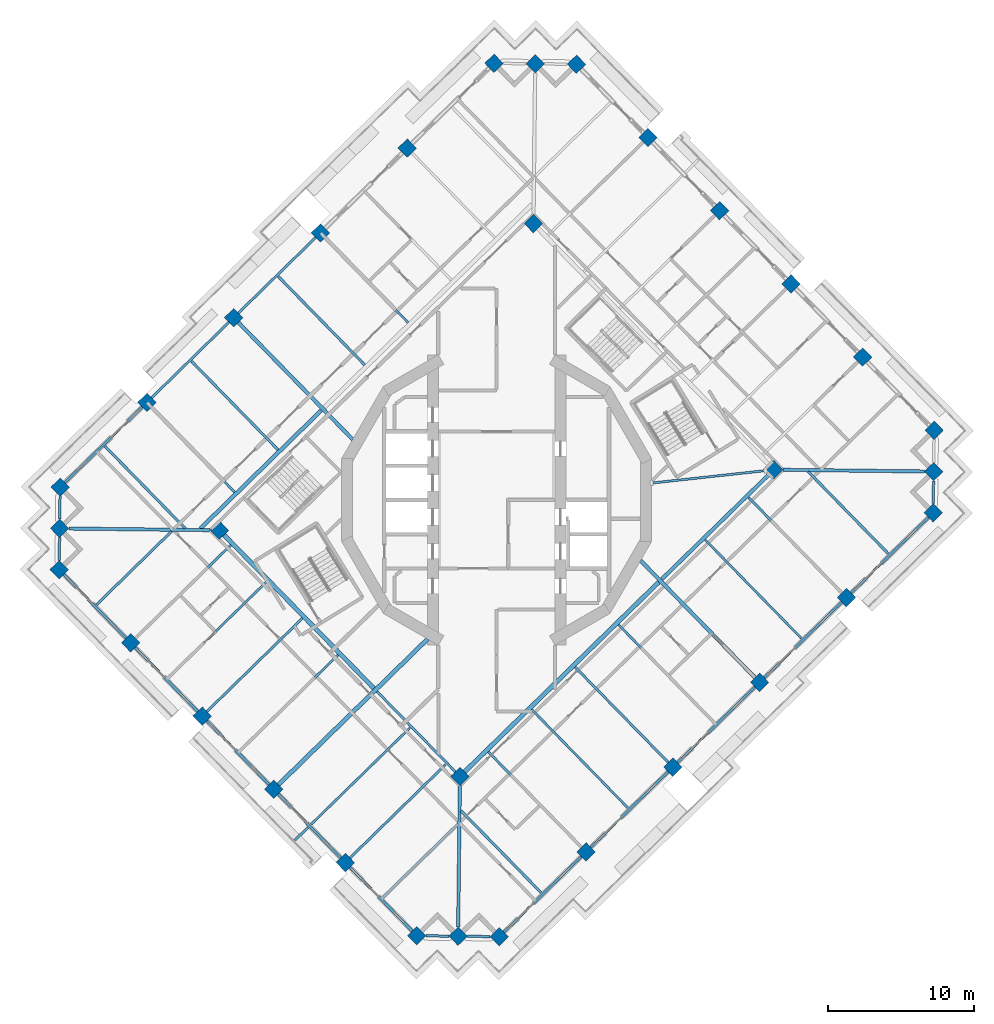
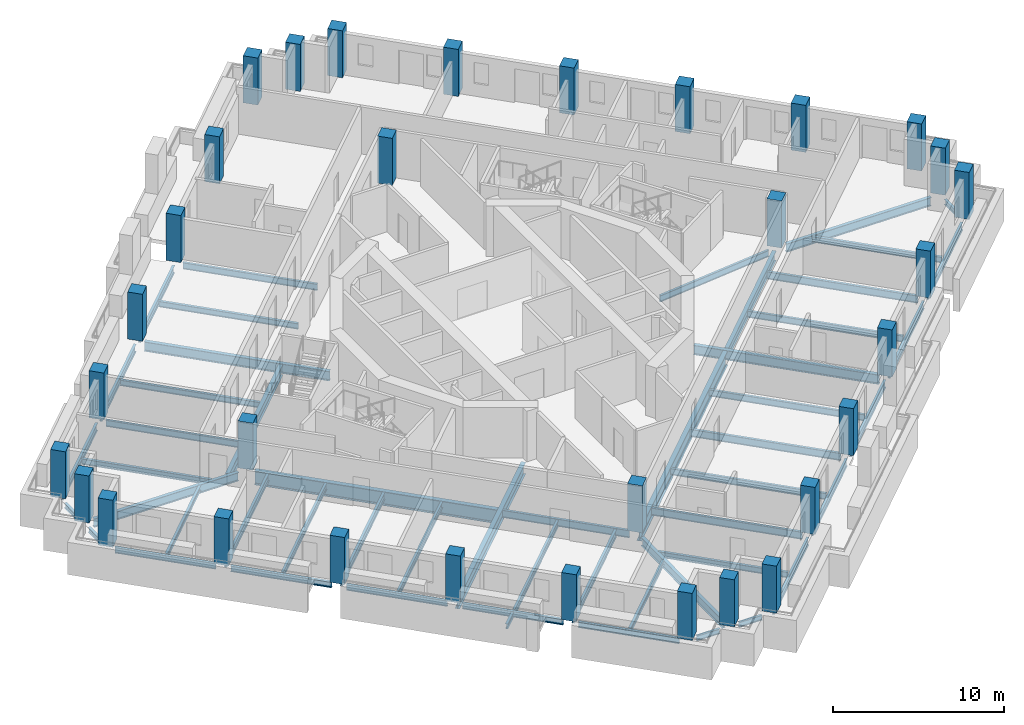
# One storey, part 1 of 17: 52 beams, 32 columns.
"""IFC4 building model written with IfcOpenShell, lengths in metres."""

from ifc_helpers import new_model, si_unit, direction, frame, origin, origin_2d, place, context, subcontext, project, spatial, rectangle, i_section, extrude, material, material_profile, profile_set, type_object, element, save


model = new_model("IFC4")

# Units and contexts
model_context = context("Model", 3, precision=1e-05, world=origin(), true_north=direction((0.0, 1.0)))
body_context = subcontext(model_context, "Body", "Model", "MODEL_VIEW")
ifc_project = project(units=[si_unit("LENGTHUNIT", "METRE"), si_unit("AREAUNIT", "SQUARE_METRE"), si_unit("VOLUMEUNIT", "CUBIC_METRE"), si_unit("PLANEANGLEUNIT", "RADIAN"), si_unit("MASSUNIT", "GRAM", prefix="KILO")], contexts=[model_context])

# Site, building, storey
site_placement = place(None, origin())
site = spatial("IfcSite", under=ifc_project, at=site_placement, CompositionType="ELEMENT")
building_placement = place(site_placement, origin())
building = spatial("IfcBuilding", under=site, at=building_placement, Name="Cantera Rosa Tower", CompositionType="ELEMENT")
storey_placement = place(building_placement, frame((0.0, 0.0, 227.0)))
storey = spatial("IfcBuildingStorey", under=building, at=storey_placement, Name="L49", CompositionType="ELEMENT", Elevation=227.0)

# Columns
ifc_material_1 = material(Name="Concrete C60/75", Category="concrete")
ifc_material_profile_1 = material_profile(ifc_material_1, rectangle(XDim=0.89990234375, YDim=0.89990234375, at=origin_2d()), Name="RC COLUMN RC900X900 C60/75")
ifc_profile_set_1 = profile_set([ifc_material_profile_1], Name="Concrete C60/75")
column_type_1 = type_object("IfcColumnType", Name="RC COLUMN RC900X900 C60/75", PredefinedType="COLUMN", material=ifc_profile_set_1)
for number, where, z_axis, x_axis, name in (
    (1, (30.003662109375, 4.77783203125, 0.0), (0.0, 0.0, 1.0), (0.71528629107, 0.698831540364, 0.0), "C-Z4-01 L49"),
    (2, (25.097900390625, 9.799072265625, 0.0), (0.0, 0.0, 1.0), (0.71528629107, 0.698831540364, 0.0), "C-Z4-02 L49"),
    (3, (20.19189453125, 14.8203125, 0.0), (0.0, 0.0, 1.0), (0.71528629107, 0.698831540364, 0.0), "C-Z4-03 L49"),
    (4, (15.2861328125, 19.841796875, 0.0), (0.0, 0.0, 1.0), (0.71528629107, 0.698831540364, 0.0), "C-Z4-04 L49"),
    (5, (10.38037109375, 24.863037109375, 0.0), (0.0, 0.0, 1.0), (0.71528629107, 0.698831540364, 0.0), "C-Z4-05 L49"),
    (6, (5.474609375, 29.88427734375, 0.0), (0.0, 0.0, 1.0), (0.71528629107, 0.698831540364, 0.0), "C-Z4-06 L49"),
    (7, (2.646484375, 29.917236328125, 0.0), (0.0, 0.0, 1.0), (0.71528629107, 0.698831540364, 0.0), "C-Z4-07 L49"),
    (8, (-0.181884765625, 29.9501953125, 0.0), (0.0, 0.0, 1.0), (0.71528629107, 0.698831540364, 0.0), "C-Z4-08 L49"),
    (9, (-6.133056640625, 24.1357421875, 0.0), (0.0, 0.0, 1.0), (0.71528629107, 0.698831540364, 0.0), "C-Z4-09 L49"),
    (10, (-12.084228515625, 18.321533203125, 0.0), (0.0, 0.0, 1.0), (0.71528629107, 0.698831540364, 0.0), "C-Z4-10 L49"),
    (11, (-18.035400390625, 12.50732421875, 0.0), (0.0, 0.0, 1.0), (0.71528629107, 0.698831540364, 0.0), "C-Z4-11 L49"),
    (12, (-23.986572265625, 6.693115234375, 0.0), (0.0, 0.0, 1.0), (0.71528629107, 0.698831540364, 0.0), "C-Z4-12 L49"),
    (13, (-29.937744140625, 0.878662109375, 0.0), (0.0, 0.0, 1.0), (0.71528629107, 0.698831540364, 0.0), "C-Z4-13 L49"),
    (14, (-29.970703125, -1.949462890625, 0.0), (0.0, 0.0, 1.0), (0.71528629107, 0.698831540364, 0.0), "C-Z4-14 L49"),
    (15, (-30.003662109375, -4.77783203125, 0.0), (0.0, 0.0, 1.0), (0.71528629107, 0.698831540364, 0.0), "C-Z4-15 L49"),
    (16, (-25.097900390625, -9.799072265625, 0.0), (0.0, 0.0, 1.0), (0.71528629107, 0.698831540364, 0.0), "C-Z4-16 L49"),
    (17, (-20.19189453125, -14.8203125, 0.0), (0.0, 0.0, 1.0), (0.71528629107, 0.698831540364, 0.0), "C-Z4-17 L49"),
    (18, (-15.2861328125, -19.841796875, 0.0), (0.0, 0.0, 1.0), (0.71528629107, 0.698831540364, 0.0), "C-Z4-18 L49"),
    (19, (-10.38037109375, -24.863037109375, 0.0), (0.0, 0.0, 1.0), (0.71528629107, 0.698831540364, 0.0), "C-Z4-19 L49"),
    (20, (-5.474609375, -29.88427734375, 0.0), (0.0, 0.0, 1.0), (0.71528629107, 0.698831540364, 0.0), "C-Z4-20 L49"),
    (21, (-2.646484375, -29.917236328125, 0.0), (0.0, 0.0, 1.0), (0.71528629107, 0.698831540364, 0.0), "C-Z4-21 L49"),
    (22, (0.181884765625, -29.9501953125, 0.0), (0.0, 0.0, 1.0), (0.71528629107, 0.698831540364, 0.0), "C-Z4-22 L49"),
    (23, (6.133056640625, -24.1357421875, 0.0), (0.0, 0.0, 1.0), (0.71528629107, 0.698831540364, 0.0), "C-Z4-23 L49"),
    (24, (12.084228515625, -18.321533203125, 0.0), (0.0, 0.0, 1.0), (0.71528629107, 0.698831540364, 0.0), "C-Z4-24 L49"),
    (25, (18.035400390625, -12.50732421875, 0.0), (0.0, 0.0, 1.0), (0.71528629107, 0.698831540364, 0.0), "C-Z4-25 L49"),
    (26, (23.986572265625, -6.693115234375, 0.0), (0.0, 0.0, 1.0), (0.71528629107, 0.698831540364, 0.0), "C-Z4-26 L49"),
    (27, (29.937744140625, -0.878662109375, 0.0), (0.0, 0.0, 1.0), (0.71528629107, 0.698831540364, 0.0), "C-Z4-27 L49"),
    (28, (29.970703125, 1.949462890625, 0.0), (0.0, 0.0, 1.0), (0.71528629107, 0.698831540364, 0.0), "C-Z4-28 L49"),
):
    element("IfcColumn", number, at=place(storey_placement, frame(where, z_axis=z_axis, x_axis=x_axis)), inside=storey, type_object=column_type_1, Name=name, PredefinedType="COLUMN", context=body_context, shape_type="SweptSolid", body=[
        extrude(rectangle(XDim=0.89990234375, YDim=0.89990234375, at=origin_2d()), origin(), (0.0, 0.0, 1.0), 3.35009765625),
    ])
ifc_material_2 = material(Name="Concrete C60/75", Category="concrete")
ifc_material_profile_2 = material_profile(ifc_material_2, rectangle(XDim=0.89990234375, YDim=0.89990234375, at=origin_2d()), Name="RC RING COLUMN RC900X900 C60/75")
ifc_profile_set_2 = profile_set([ifc_material_profile_2], Name="Concrete C60/75")
column_type_2 = type_object("IfcColumnType", Name="RC RING COLUMN RC900X900 C60/75", PredefinedType="COLUMN", material=ifc_profile_set_2)
for number, where, z_axis, x_axis, name in (
    (29, (2.518798828125, 18.957763671875, 0.0), (0.0, 0.0, 1.0), (0.71528629107, 0.698831540364, 0.0), "CI-Z4-1 L49"),
    (30, (-19.01123046875, -2.0771484375, 0.0), (0.0, 0.0, 1.0), (0.71528629107, 0.698831540364, 0.0), "CI-Z4-2 L49"),
    (31, (-2.518798828125, -18.957763671875, 0.0), (0.0, 0.0, 1.0), (0.71528629107, 0.698831540364, 0.0), "CI-Z4-3 L49"),
    (32, (19.01123046875, 2.0771484375, 0.0), (0.0, 0.0, 1.0), (0.71528629107, 0.698831540364, 0.0), "CI-Z4-4 L49"),
):
    element("IfcColumn", number, at=place(storey_placement, frame(where, z_axis=z_axis, x_axis=x_axis)), inside=storey, type_object=column_type_2, Name=name, PredefinedType="COLUMN", context=body_context, shape_type="SweptSolid", body=[
        extrude(rectangle(XDim=0.89990234375, YDim=0.89990234375, at=origin_2d()), origin(), (0.0, 0.0, 1.0), 3.35009765625),
    ])

# Beams
ifc_material_3 = material(Name="Steel ASTM A992 (Fy 345 MPa)", Category="steel")
ifc_material_profile_3 = material_profile(ifc_material_3, i_section(OverallWidth=0.300048828125, OverallDepth=0.990966796875, WebThickness=0.0166015625, FlangeThickness=0.030517578125, FilletRadius=0.030029296875, at=origin_2d()), Name="W1000X272")
ifc_profile_set_3 = profile_set([ifc_material_profile_3], Name="Steel ASTM A992 (Fy 345 MPa)")
beam_type_1 = type_object("IfcBeamType", Name="STEEL BEAM W1000X272", PredefinedType="BEAM", material=ifc_profile_set_3)
beam_1_placement = place(storey_placement, frame((-8.4169921875, -12.9208984375, -0.74560546875), z_axis=(-0.698826825527, 0.715290897415, 0.0), x_axis=(-0.715290897415, -0.698826825527, 0.0)))
element("IfcBeam", 33, at=beam_1_placement, inside=storey, type_object=beam_type_1, Name="RB-Z4-07 L49", PredefinedType="BEAM", context=body_context, shape_type="SweptSolid", body=[
    extrude(i_section(OverallWidth=0.300048828125, OverallDepth=0.990966796875, WebThickness=0.0166015625, FlangeThickness=0.030517578125, FilletRadius=0.030029296875, at=origin_2d()), origin(), (0.0, 0.0, 1.0), 14.7099609375),
])
ifc_material_4 = material(Name="Steel ASTM A992 (Fy 345 MPa)", Category="steel")
ifc_material_profile_4 = material_profile(ifc_material_4, i_section(OverallWidth=0.302001953125, OverallDepth=1.010009765625, WebThickness=0.02099609375, FlangeThickness=0.0400390625, FilletRadius=0.030029296875, at=origin_2d()), Name="W1000X350")
ifc_profile_set_4 = profile_set([ifc_material_profile_4], Name="Steel ASTM A992 (Fy 345 MPa)")
beam_type_2 = type_object("IfcBeamType", Name="STEEL BEAM W1000X350", PredefinedType="BEAM", material=ifc_profile_set_4)
beam_2_placement = place(storey_placement, frame((-2.197021484375, -18.643310546875, -0.7548828125), z_axis=(0.715290925107, 0.698826797182, 0.0), x_axis=(-0.698826797182, 0.715290925107, 0.0)))
element("IfcBeam", 34, at=beam_2_placement, inside=storey, type_object=beam_type_2, Name="RB-Z4-03 L49", PredefinedType="BEAM", context=body_context, shape_type="SweptSolid", body=[
    extrude(i_section(OverallWidth=0.302001953125, OverallDepth=1.010009765625, WebThickness=0.02099609375, FlangeThickness=0.0400390625, FilletRadius=0.030029296875, at=origin_2d()), origin(), (0.0, 0.0, 1.0), 18.60986328125),
])
ifc_material_5 = material(Name="Steel ASTM A992 (Fy 345 MPa)", Category="steel")
ifc_material_profile_5 = material_profile(ifc_material_5, i_section(OverallWidth=0.154052734375, OverallDepth=0.4599609375, WebThickness=0.009033203125, FlangeThickness=0.015380859375, FilletRadius=0.01025390625, at=origin_2d()), Name="W460X68")
ifc_profile_set_5 = profile_set([ifc_material_profile_5], Name="Steel ASTM A992 (Fy 345 MPa)")
beam_type_3 = type_object("IfcBeamType", Name="STEEL BEAM W460X68", PredefinedType="BEAM", material=ifc_profile_set_5)
for number, where, z_axis, x_axis, name in (
    (35, (-11.769775390625, 17.999755859375, -0.47998046875), (0.698836133494, -0.715281803574, 0.0), (0.715281803574, 0.698836133494, 0.0), "G-Z4-06 L49"),
    (36, (-23.672119140625, 6.37109375, -0.47998046875), (0.698836133494, -0.715281803574, 0.0), (0.715281803574, 0.698836133494, 0.0), "G-Z4-08 L49"),
):
    element("IfcBeam", number, at=place(storey_placement, frame(where, z_axis=z_axis, x_axis=x_axis)), inside=storey, type_object=beam_type_3, Name=name, PredefinedType="BEAM", context=body_context, shape_type="SweptSolid", body=[
        extrude(i_section(OverallWidth=0.154052734375, OverallDepth=0.4599609375, WebThickness=0.009033203125, FlangeThickness=0.015380859375, FilletRadius=0.01025390625, at=origin_2d()), origin(), (0.0, 0.0, 1.0), 8.150146484375),
    ])
beam_3_placement = place(storey_placement, frame((18.44287109375, 2.014892578125, -0.47998046875), z_axis=(-0.994086100692, -0.108594771563, 0.0), x_axis=(0.108594771563, -0.994086100692, 0.0)))
element("IfcBeam", 37, at=beam_3_placement, inside=storey, type_object=beam_type_3, Name="PG-Z4-01 L49", PredefinedType="BEAM", context=body_context, shape_type="SweptSolid", body=[
    extrude(i_section(OverallWidth=0.154052734375, OverallDepth=0.4599609375, WebThickness=0.009033203125, FlangeThickness=0.015380859375, FilletRadius=0.01025390625, at=origin_2d()), origin(), (0.0, 0.0, 1.0), 7.864013671875),
])
ifc_material_6 = material(Name="Steel ASTM A992 (Fy 345 MPa)", Category="steel")
ifc_material_profile_6 = material_profile(ifc_material_6, i_section(OverallWidth=0.166015625, OverallDepth=0.528076171875, WebThickness=0.009765625, FlangeThickness=0.013671875, FilletRadius=0.0126953125, at=origin_2d()), Name="W530X74")
ifc_profile_set_6 = profile_set([ifc_material_profile_6], Name="Steel ASTM A992 (Fy 345 MPa)")
beam_type_4 = type_object("IfcBeamType", Name="STEEL BEAM W530X74", PredefinedType="BEAM", material=ifc_profile_set_6)
for number, where, z_axis, x_axis, name in (
    (38, (5.818603515625, -23.81396484375, -0.513916015625), (-0.698827481213, 0.71529025682, 0.0), (-0.71529025682, -0.698827481213, 0.0), "G-Z4-09 L49"),
    (39, (11.769775390625, -17.999755859375, -0.513916015625), (-0.698827481213, 0.71529025682, 0.0), (-0.71529025682, -0.698827481213, 0.0), "G-Z4-10 L49"),
    (40, (23.672119140625, -6.37109375, -0.513916015625), (-0.698827481213, 0.71529025682, 0.0), (-0.71529025682, -0.698827481213, 0.0), "G-Z4-12 L49"),
    (41, (-24.77587890625, -9.484619140625, -0.513916015625), (0.71529025682, 0.698827481213, 0.0), (-0.698827481213, 0.71529025682, 0.0), "G-Z4-13 L49"),
    (42, (-19.8701171875, -14.505859375, -0.513916015625), (0.71529025682, 0.698827481213, 0.0), (-0.698827481213, 0.71529025682, 0.0), "G-Z4-14 L49"),
    (43, (-10.05859375, -24.548583984375, -0.513916015625), (0.71529025682, 0.698827481213, 0.0), (-0.698827481213, 0.71529025682, 0.0), "G-Z4-16 L49"),
):
    element("IfcBeam", number, at=place(storey_placement, frame(where, z_axis=z_axis, x_axis=x_axis)), inside=storey, type_object=beam_type_4, Name=name, PredefinedType="BEAM", context=body_context, shape_type="SweptSolid", body=[
        extrude(i_section(OverallWidth=0.166015625, OverallDepth=0.528076171875, WebThickness=0.009765625, FlangeThickness=0.013671875, FilletRadius=0.0126953125, at=origin_2d()), origin(), (0.0, 0.0, 1.0), 9.14990234375),
    ])
beam_4_placement = place(storey_placement, frame((-2.833251953125, -18.635986328125, -0.513916015625), z_axis=(-0.698820376914, 0.71529719754, 0.0), x_axis=(-0.71529719754, -0.698820376914, 0.0)))
element("IfcBeam", 44, at=beam_4_placement, inside=storey, type_object=beam_type_4, Name="RB-Z4-06 L49", PredefinedType="BEAM", context=body_context, shape_type="SweptSolid", body=[
    extrude(i_section(OverallWidth=0.166015625, OverallDepth=0.528076171875, WebThickness=0.009765625, FlangeThickness=0.013671875, FilletRadius=0.0126953125, at=origin_2d()), origin(), (0.0, 0.0, 1.0), 7.690185546875),
])
ifc_material_7 = material(Name="Steel ASTM A992 (Fy 345 MPa)", Category="steel")
ifc_material_profile_7 = material_profile(ifc_material_7, i_section(OverallWidth=0.22802734375, OverallDepth=0.60205078125, WebThickness=0.010498046875, FlangeThickness=0.014892578125, FilletRadius=0.0126953125, at=origin_2d()), Name="W610X101")
ifc_profile_set_7 = profile_set([ifc_material_profile_7], Name="Steel ASTM A992 (Fy 345 MPa)")
beam_type_5 = type_object("IfcBeamType", Name="STEEL BEAM W610X101", PredefinedType="BEAM", material=ifc_profile_set_7)
for number, where, z_axis, x_axis, name in (
    (45, (-29.334228515625, -1.95703125, -0.551025390625), (0.999932504919, -0.011618330597, 0.0), (0.011618330597, 0.999932504919, 0.0), "CB-Z4-02 L49"),
    (46, (-2.638916015625, -29.28076171875, -0.551025390625), (0.011618330597, 0.999932504919, 0.0), (-0.999932504919, 0.011618330597, 0.0), "CB-Z4-03 L49"),
    (47, (29.334228515625, 1.95703125, -0.551025390625), (-0.999932504919, 0.011618330597, 0.0), (-0.011618330597, -0.999932504919, 0.0), "CB-Z4-04 L49"),
):
    element("IfcBeam", number, at=place(storey_placement, frame(where, z_axis=z_axis, x_axis=x_axis)), inside=storey, type_object=beam_type_5, Name=name, PredefinedType="BEAM", context=body_context, shape_type="SweptSolid", body=[
        extrude(i_section(OverallWidth=0.22802734375, OverallDepth=0.60205078125, WebThickness=0.010498046875, FlangeThickness=0.014892578125, FilletRadius=0.0126953125, at=origin_2d()), origin(), (0.0, 0.0, 1.0), 9.687255859375),
    ])
ifc_material_8 = material(Name="Steel ASTM A992 (Fy 345 MPa)", Category="steel")
ifc_material_profile_8 = material_profile(ifc_material_8, i_section(OverallWidth=0.25390625, OverallDepth=0.677978515625, WebThickness=0.01171875, FlangeThickness=0.016357421875, FilletRadius=0.01513671875, at=origin_2d()), Name="W690X125")
ifc_profile_set_8 = profile_set([ifc_material_profile_8], Name="Steel ASTM A992 (Fy 345 MPa)")
beam_type_6 = type_object("IfcBeamType", Name="STEEL BEAM W690X125", PredefinedType="BEAM", material=ifc_profile_set_8)
for number, where, z_axis, x_axis, name in (
    (48, (-17.720947265625, 12.185302734375, -0.589111328125), (0.698831358516, -0.715286468734, 0.0), (0.715286468734, 0.698831358516, 0.0), "G-Z4-07 L49"),
    (49, (17.720947265625, -12.185302734375, -0.589111328125), (-0.698831358516, 0.715286468734, 0.0), (-0.715286468734, -0.698831358516, 0.0), "G-Z4-11 L49"),
):
    element("IfcBeam", number, at=place(storey_placement, frame(where, z_axis=z_axis, x_axis=x_axis)), inside=storey, type_object=beam_type_6, Name=name, PredefinedType="BEAM", context=body_context, shape_type="SweptSolid", body=[
        extrude(i_section(OverallWidth=0.25390625, OverallDepth=0.677978515625, WebThickness=0.01171875, FlangeThickness=0.016357421875, FilletRadius=0.01513671875, at=origin_2d()), origin(), (0.0, 0.0, 1.0), 11.2314453125),
    ])
beam_5_placement = place(storey_placement, frame((11.3291015625, -5.428466796875, -0.589111328125), z_axis=(0.715291776896, 0.698825925324, 0.0), x_axis=(-0.698825925324, 0.715291776896, 0.0)))
element("IfcBeam", 50, at=beam_5_placement, inside=storey, type_object=beam_type_6, Name="RB-Z4-04 L49", PredefinedType="BEAM", context=body_context, shape_type="SweptSolid", body=[
    extrude(i_section(OverallWidth=0.25390625, OverallDepth=0.677978515625, WebThickness=0.01171875, FlangeThickness=0.016357421875, FilletRadius=0.01513671875, at=origin_2d()), origin(), (0.0, 0.0, 1.0), 10.2900390625),
])
ifc_material_9 = material(Name="Steel ASTM A992 (Fy 345 MPa)", Category="steel")
ifc_material_profile_9 = material_profile(ifc_material_9, i_section(OverallWidth=0.26708984375, OverallDepth=0.75390625, WebThickness=0.01318359375, FlangeThickness=0.01708984375, FilletRadius=0.0166015625, at=origin_2d()), Name="W760X147")
ifc_profile_set_9 = profile_set([ifc_material_profile_9], Name="Steel ASTM A992 (Fy 345 MPa)")
beam_type_7 = type_object("IfcBeamType", Name="STEEL BEAM W760X147", PredefinedType="BEAM", material=ifc_profile_set_9)
beam_6_placement = place(storey_placement, frame((-20.318115234375, -1.955810546875, -0.626953125), z_axis=(0.715284592672, 0.698833278749, 0.0), x_axis=(-0.698833278749, 0.715284592672, 0.0)))
element("IfcBeam", 51, at=beam_6_placement, inside=storey, type_object=beam_type_7, Name="RB-Z4-01 L49", PredefinedType="BEAM", context=body_context, shape_type="SweptSolid", body=[
    extrude(i_section(OverallWidth=0.26708984375, OverallDepth=0.75390625, WebThickness=0.01318359375, FlangeThickness=0.01708984375, FilletRadius=0.0166015625, at=origin_2d()), origin(), (0.0, 0.0, 1.0), 11.590087890625),
])
ifc_material_10 = material(Name="Steel ASTM A992 (Fy 345 MPa)", Category="steel")
ifc_material_profile_10 = material_profile(ifc_material_10, i_section(OverallWidth=0.2919921875, OverallDepth=0.8359375, WebThickness=0.013916015625, FlangeThickness=0.018798828125, FilletRadius=0.017822265625, at=origin_2d()), Name="W840X176")
ifc_profile_set_10 = profile_set([ifc_material_profile_10], Name="Steel ASTM A992 (Fy 345 MPa)")
beam_type_8 = type_object("IfcBeamType", Name="STEEL BEAM W840X176", PredefinedType="BEAM", material=ifc_profile_set_10)
beam_7_placement = place(storey_placement, frame((-14.96435546875, -19.527099609375, -0.66796875), z_axis=(0.715288446628, 0.698829334045, 0.0), x_axis=(-0.698829334045, 0.715288446628, 0.0)))
element("IfcBeam", 52, at=beam_7_placement, inside=storey, type_object=beam_type_8, Name="G-Z4-15 L49", PredefinedType="BEAM", context=body_context, shape_type="SweptSolid", body=[
    extrude(i_section(OverallWidth=0.2919921875, OverallDepth=0.8359375, WebThickness=0.013916015625, FlangeThickness=0.018798828125, FilletRadius=0.017822265625, at=origin_2d()), origin(), (0.0, 0.0, 1.0), 14.299072265625),
])
ifc_material_11 = material(Name="Steel ASTM A992 (Fy 345 MPa)", Category="steel")
ifc_material_profile_11 = material_profile(ifc_material_11, i_section(OverallWidth=0.1708984375, OverallDepth=0.35595703125, WebThickness=0.00732421875, FlangeThickness=0.01171875, FilletRadius=0.010009765625, at=origin_2d()), Name="W360X51")
ifc_profile_set_11 = profile_set([ifc_material_profile_11], Name="Steel ASTM A992 (Fy 345 MPa)")
beam_type_9 = type_object("IfcBeamType", Name="STEEL JOIST W360X51", PredefinedType="JOIST", material=ifc_profile_set_11)
for number, where, z_axis, x_axis, name in (
    (53, (-27.443359375, -7.18359375, -0.427978515625), (0.715287213552, 0.69883059616, 0.0), (-0.69883059616, 0.715287213552, 0.0), "B-Z4-16 L49"),
    (54, (-7.8203125, -27.268798828125, -0.427978515625), (0.715287213552, 0.69883059616, 0.0), (-0.69883059616, 0.715287213552, 0.0), "B-Z4-20 L49"),
):
    element("IfcBeam", number, at=place(storey_placement, frame(where, z_axis=z_axis, x_axis=x_axis)), inside=storey, type_object=beam_type_9, Name=name, PredefinedType="JOIST", context=body_context, shape_type="SweptSolid", body=[
        extrude(i_section(OverallWidth=0.1708984375, OverallDepth=0.35595703125, WebThickness=0.00732421875, FlangeThickness=0.01171875, FilletRadius=0.010009765625, at=origin_2d()), origin(), (0.0, 0.0, 1.0), 7.2099609375),
    ])
beam_8_placement = place(storey_placement, frame((-12.92626953125, -22.443115234375, -0.427978515625), z_axis=(-0.715266175044, -0.698852129451, 0.0), x_axis=(0.698852129451, -0.715266175044, 0.0)))
element("IfcBeam", 55, at=beam_8_placement, inside=storey, type_object=beam_type_9, Name="BS-Z4-12 L49", PredefinedType="JOIST", context=body_context, shape_type="SweptSolid", body=[
    extrude(i_section(OverallWidth=0.1708984375, OverallDepth=0.35595703125, WebThickness=0.00732421875, FlangeThickness=0.01171875, FilletRadius=0.010009765625, at=origin_2d()), origin(), (0.0, 0.0, 1.0), 1.26416015625),
])
ifc_material_12 = material(Name="Steel ASTM A992 (Fy 345 MPa)", Category="steel")
ifc_material_profile_12 = material_profile(ifc_material_12, i_section(OverallWidth=0.177978515625, OverallDepth=0.406005859375, WebThickness=0.0078125, FlangeThickness=0.0126953125, FilletRadius=0.01025390625, at=origin_2d()), Name="W410X60")
ifc_profile_set_12 = profile_set([ifc_material_profile_12], Name="Steel ASTM A992 (Fy 345 MPa)")
beam_type_10 = type_object("IfcBeamType", Name="STEEL JOIST W410X60", PredefinedType="JOIST", material=ifc_profile_set_12)
for number, where, z_axis, x_axis, name in (
    (56, (-14.955078125, 15.30712890625, -0.452880859375), (0.698839235604, -0.715278772774, 0.0), (0.715278772774, 0.698839235604, 0.0), "B-Z4-08 L49"),
    (57, (-20.90625, 9.492919921875, -0.452880859375), (0.698839235604, -0.715278772774, 0.0), (0.715278772774, 0.698839235604, 0.0), "B-Z4-09 L49"),
):
    element("IfcBeam", number, at=place(storey_placement, frame(where, z_axis=z_axis, x_axis=x_axis)), inside=storey, type_object=beam_type_10, Name=name, PredefinedType="JOIST", context=body_context, shape_type="SweptSolid", body=[
        extrude(i_section(OverallWidth=0.177978515625, OverallDepth=0.406005859375, WebThickness=0.0078125, FlangeThickness=0.0126953125, FilletRadius=0.01025390625, at=origin_2d()), origin(), (0.0, 0.0, 1.0), 8.4501953125),
    ])
for number, where, z_axis, x_axis, name in (
    (58, (-26.857421875, 3.678466796875, -0.452880859375), (0.698843394481, -0.715274709458, 0.0), (0.715274709458, 0.698843394481, 0.0), "B-Z4-10 L49"),
    (59, (3.052734375, -26.935791015625, -0.452880859375), (-0.698827868311, 0.715289878631, 0.0), (-0.715289878631, -0.698827868311, 0.0), "B-Z4-11 L49"),
    (60, (26.857421875, -3.678466796875, -0.452880859375), (-0.698843394481, 0.715274709458, 0.0), (-0.715274709458, -0.698843394481, 0.0), "B-Z4-15 L49"),
):
    element("IfcBeam", number, at=place(storey_placement, frame(where, z_axis=z_axis, x_axis=x_axis)), inside=storey, type_object=beam_type_10, Name=name, PredefinedType="JOIST", context=body_context, shape_type="SweptSolid", body=[
        extrude(i_section(OverallWidth=0.177978515625, OverallDepth=0.406005859375, WebThickness=0.0078125, FlangeThickness=0.0126953125, FilletRadius=0.01025390625, at=origin_2d()), origin(), (0.0, 0.0, 1.0), 7.860107421875),
    ])
ifc_material_13 = material(Name="Steel ASTM A992 (Fy 345 MPa)", Category="steel")
ifc_material_profile_13 = material_profile(ifc_material_13, i_section(OverallWidth=0.154052734375, OverallDepth=0.4599609375, WebThickness=0.009033203125, FlangeThickness=0.015380859375, FilletRadius=0.01025390625, at=origin_2d()), Name="W460X68")
ifc_profile_set_13 = profile_set([ifc_material_profile_13], Name="Steel ASTM A992 (Fy 345 MPa)")
beam_type_11 = type_object("IfcBeamType", Name="STEEL JOIST W460X68", PredefinedType="JOIST", material=ifc_profile_set_13)
beam_9_placement = place(storey_placement, frame((9.00390625, -21.121337890625, -0.47998046875), z_axis=(-0.698843443844, 0.715274661229, 0.0), x_axis=(-0.715274661229, -0.698843443844, 0.0)))
element("IfcBeam", 61, at=beam_9_placement, inside=storey, type_object=beam_type_11, Name="B-Z4-12 L49", PredefinedType="JOIST", context=body_context, shape_type="SweptSolid", body=[
    extrude(i_section(OverallWidth=0.154052734375, OverallDepth=0.4599609375, WebThickness=0.009033203125, FlangeThickness=0.015380859375, FilletRadius=0.01025390625, at=origin_2d()), origin(), (0.0, 0.0, 1.0), 9.449951171875),
])
for number, where, z_axis, x_axis, name in (
    (62, (14.955078125, -15.30712890625, -0.47998046875), (-0.698830529832, 0.715287278354, 0.0), (-0.715287278354, -0.698830529832, 0.0), "B-Z4-13 L49"),
    (63, (20.90625, -9.492919921875, -0.47998046875), (-0.698830529832, 0.715287278354, 0.0), (-0.715287278354, -0.698830529832, 0.0), "B-Z4-14 L49"),
    (64, (-22.53759765625, -12.204833984375, -0.47998046875), (0.715287278354, 0.698830529832, 0.0), (-0.698830529832, 0.715287278354, 0.0), "B-Z4-17 L49"),
    (65, (-17.6318359375, -17.226318359375, -0.47998046875), (0.715287278354, 0.698830529832, 0.0), (-0.698830529832, 0.715287278354, 0.0), "B-Z4-18 L49"),
    (66, (-12.72607421875, -22.24755859375, -0.47998046875), (0.715287278354, 0.698830529832, 0.0), (-0.698830529832, 0.715287278354, 0.0), "B-Z4-19 L49"),
):
    element("IfcBeam", number, at=place(storey_placement, frame(where, z_axis=z_axis, x_axis=x_axis)), inside=storey, type_object=beam_type_11, Name=name, PredefinedType="JOIST", context=body_context, shape_type="SweptSolid", body=[
        extrude(i_section(OverallWidth=0.154052734375, OverallDepth=0.4599609375, WebThickness=0.009033203125, FlangeThickness=0.015380859375, FilletRadius=0.01025390625, at=origin_2d()), origin(), (0.0, 0.0, 1.0), 9.4501953125),
    ])
ifc_material_14 = material(Name="Steel ASTM A992 (Fy 345 MPa)", Category="steel")
ifc_material_profile_14 = material_profile(ifc_material_14, i_section(OverallWidth=0.1708984375, OverallDepth=0.35595703125, WebThickness=0.00732421875, FlangeThickness=0.01171875, FilletRadius=0.010009765625, at=origin_2d()), Name="W360X51")
ifc_profile_set_14 = profile_set([ifc_material_profile_14], Name="Steel ASTM A992 (Fy 345 MPa)")
beam_type_12 = type_object("IfcBeamType", Name="STEEL SPANDREL BEAM W360X51", PredefinedType="SPANDREL", material=ifc_profile_set_14)
beam_10_placement = place(storey_placement, frame((-29.945068359375, 0.242431640625, -0.427978515625), z_axis=(-0.011769429589, -0.999930737865, 0.0), x_axis=(0.999930737865, -0.011769429589, 0.0)))
element("IfcBeam", 67, at=beam_10_placement, inside=storey, type_object=beam_type_12, Name="EB-Z4-13 L49", PredefinedType="SPANDREL", context=body_context, shape_type="SweptSolid", body=[
    extrude(i_section(OverallWidth=0.1708984375, OverallDepth=0.35595703125, WebThickness=0.00732421875, FlangeThickness=0.01171875, FilletRadius=0.010009765625, at=origin_2d()), origin(), (0.0, 0.0, 1.0), 1.5556640625),
])
for number, where, z_axis, x_axis, name in (
    (68, (-29.97802734375, -2.5859375, -0.427978515625), (-0.011614347636, -0.99993255119, 0.0), (0.99993255119, -0.011614347636, 0.0), "EB-Z4-14 L49"),
    (69, (-4.838134765625, -29.8916015625, -0.427978515625), (0.999930716123, -0.011771276677, 0.0), (0.011771276677, 0.999930716123, 0.0), "EB-Z4-20 L49"),
    (70, (-2.010009765625, -29.924560546875, -0.427978515625), (0.99993255119, -0.011614347636, 0.0), (0.011614347636, 0.99993255119, 0.0), "EB-Z4-21 L49"),
):
    element("IfcBeam", number, at=place(storey_placement, frame(where, z_axis=z_axis, x_axis=x_axis)), inside=storey, type_object=beam_type_12, Name=name, PredefinedType="SPANDREL", context=body_context, shape_type="SweptSolid", body=[
        extrude(i_section(OverallWidth=0.1708984375, OverallDepth=0.35595703125, WebThickness=0.00732421875, FlangeThickness=0.01171875, FilletRadius=0.010009765625, at=origin_2d()), origin(), (0.0, 0.0, 1.0), 1.555419921875),
    ])
beam_11_placement = place(storey_placement, frame((29.945068359375, -0.242431640625, -0.427978515625), z_axis=(0.011769429589, 0.999930737865, 0.0), x_axis=(-0.999930737865, 0.011769429589, 0.0)))
element("IfcBeam", 71, at=beam_11_placement, inside=storey, type_object=beam_type_12, Name="EB-Z4-27 L49", PredefinedType="SPANDREL", context=body_context, shape_type="SweptSolid", body=[
    extrude(i_section(OverallWidth=0.1708984375, OverallDepth=0.35595703125, WebThickness=0.00732421875, FlangeThickness=0.01171875, FilletRadius=0.010009765625, at=origin_2d()), origin(), (0.0, 0.0, 1.0), 1.5556640625),
])
ifc_material_15 = material(Name="Steel ASTM A992 (Fy 345 MPa)", Category="steel")
ifc_material_profile_15 = material_profile(ifc_material_15, i_section(OverallWidth=0.177978515625, OverallDepth=0.406005859375, WebThickness=0.0078125, FlangeThickness=0.0126953125, FilletRadius=0.01025390625, at=origin_2d()), Name="W410X60")
ifc_profile_set_15 = profile_set([ifc_material_profile_15], Name="Steel ASTM A992 (Fy 345 MPa)")
beam_type_13 = type_object("IfcBeamType", Name="STEEL SPANDREL BEAM W410X60", PredefinedType="SPANDREL", material=ifc_profile_set_15)
beam_12_placement = place(storey_placement, frame((-29.689208984375, -5.099609375, -0.452880859375), z_axis=(0.69882117953, -0.715296413412, 0.0), x_axis=(0.715296413412, 0.69882117953, 0.0)))
element("IfcBeam", 72, at=beam_12_placement, inside=storey, type_object=beam_type_13, Name="EB-Z4-15 L49", PredefinedType="SPANDREL", context=body_context, shape_type="SweptSolid", body=[
    extrude(i_section(OverallWidth=0.177978515625, OverallDepth=0.406005859375, WebThickness=0.0078125, FlangeThickness=0.0126953125, FilletRadius=0.01025390625, at=origin_2d()), origin(), (0.0, 0.0, 1.0), 6.1201171875),
])
for number, where, z_axis, x_axis, name in (
    (73, (-24.783203125, -10.120849609375, -0.452880859375), (0.698800768177, -0.715316354067, 0.0), (0.715316354067, 0.698800768177, 0.0), "EB-Z4-16 L49"),
    (74, (-19.87744140625, -15.142333984375, -0.452880859375), (0.698841120217, -0.71527693147, 0.0), (0.71527693147, 0.698841120217, 0.0), "EB-Z4-17 L49"),
    (75, (-14.9716796875, -20.16357421875, -0.452880859375), (0.698841120217, -0.71527693147, 0.0), (0.71527693147, 0.698841120217, 0.0), "EB-Z4-18 L49"),
):
    element("IfcBeam", number, at=place(storey_placement, frame(where, z_axis=z_axis, x_axis=x_axis)), inside=storey, type_object=beam_type_13, Name=name, PredefinedType="SPANDREL", context=body_context, shape_type="SweptSolid", body=[
        extrude(i_section(OverallWidth=0.177978515625, OverallDepth=0.406005859375, WebThickness=0.0078125, FlangeThickness=0.0126953125, FilletRadius=0.01025390625, at=origin_2d()), origin(), (0.0, 0.0, 1.0), 6.119873046875),
    ])
beam_13_placement = place(storey_placement, frame((-10.06591796875, -25.184814453125, -0.452880859375), z_axis=(0.69882117953, -0.715296413412, 0.0), x_axis=(0.715296413412, 0.69882117953, 0.0)))
element("IfcBeam", 76, at=beam_13_placement, inside=storey, type_object=beam_type_13, Name="EB-Z4-19 L49", PredefinedType="SPANDREL", context=body_context, shape_type="SweptSolid", body=[
    extrude(i_section(OverallWidth=0.177978515625, OverallDepth=0.406005859375, WebThickness=0.0078125, FlangeThickness=0.0126953125, FilletRadius=0.01025390625, at=origin_2d()), origin(), (0.0, 0.0, 1.0), 6.1201171875),
])
ifc_material_16 = material(Name="Steel ASTM A992 (Fy 345 MPa)", Category="steel")
ifc_material_profile_16 = material_profile(ifc_material_16, i_section(OverallWidth=0.166015625, OverallDepth=0.528076171875, WebThickness=0.009765625, FlangeThickness=0.013671875, FilletRadius=0.0126953125, at=origin_2d()), Name="W530X74")
ifc_profile_set_16 = profile_set([ifc_material_profile_16], Name="Steel ASTM A992 (Fy 345 MPa)")
beam_type_14 = type_object("IfcBeamType", Name="STEEL SPANDREL BEAM W530X74", PredefinedType="SPANDREL", material=ifc_profile_set_16)
for number, where, z_axis, x_axis, name in (
    (77, (-12.406005859375, 18.007080078125, -0.513916015625), (-0.715300826176, -0.698816662703, 0.0), (0.698816662703, -0.715300826176, 0.0), "EB-Z4-10 L49"),
    (78, (-18.357177734375, 12.19287109375, -0.513916015625), (-0.715300826176, -0.698816662703, 0.0), (0.698816662703, -0.715300826176, 0.0), "EB-Z4-11 L49"),
    (79, (-24.308349609375, 6.37841796875, -0.513916015625), (-0.715300826176, -0.698816662703, 0.0), (0.698816662703, -0.715300826176, 0.0), "EB-Z4-12 L49"),
):
    element("IfcBeam", number, at=place(storey_placement, frame(where, z_axis=z_axis, x_axis=x_axis)), inside=storey, type_object=beam_type_14, Name=name, PredefinedType="SPANDREL", context=body_context, shape_type="SweptSolid", body=[
        extrude(i_section(OverallWidth=0.166015625, OverallDepth=0.528076171875, WebThickness=0.009765625, FlangeThickness=0.013671875, FilletRadius=0.0126953125, at=origin_2d()), origin(), (0.0, 0.0, 1.0), 7.420166015625),
    ])
beam_14_placement = place(storey_placement, frame((0.503662109375, -29.6357421875, -0.513916015625), z_axis=(0.715284379566, 0.698833496871, 0.0), x_axis=(-0.698833496871, 0.715284379566, 0.0)))
element("IfcBeam", 80, at=beam_14_placement, inside=storey, type_object=beam_type_14, Name="EB-Z4-22 L49", PredefinedType="SPANDREL", context=body_context, shape_type="SweptSolid", body=[
    extrude(i_section(OverallWidth=0.166015625, OverallDepth=0.528076171875, WebThickness=0.009765625, FlangeThickness=0.013671875, FilletRadius=0.0126953125, at=origin_2d()), origin(), (0.0, 0.0, 1.0), 7.42041015625),
])
for number, where, z_axis, x_axis, name in (
    (81, (6.454833984375, -23.8212890625, -0.513916015625), (0.715300826176, 0.698816662703, 0.0), (-0.698816662703, 0.715300826176, 0.0), "EB-Z4-23 L49"),
    (82, (12.406005859375, -18.007080078125, -0.513916015625), (0.715300826176, 0.698816662703, 0.0), (-0.698816662703, 0.715300826176, 0.0), "EB-Z4-24 L49"),
    (83, (18.357177734375, -12.19287109375, -0.513916015625), (0.715300826176, 0.698816662703, 0.0), (-0.698816662703, 0.715300826176, 0.0), "EB-Z4-25 L49"),
    (84, (24.308349609375, -6.37841796875, -0.513916015625), (0.715300826176, 0.698816662703, 0.0), (-0.698816662703, 0.715300826176, 0.0), "EB-Z4-26 L49"),
):
    element("IfcBeam", number, at=place(storey_placement, frame(where, z_axis=z_axis, x_axis=x_axis)), inside=storey, type_object=beam_type_14, Name=name, PredefinedType="SPANDREL", context=body_context, shape_type="SweptSolid", body=[
        extrude(i_section(OverallWidth=0.166015625, OverallDepth=0.528076171875, WebThickness=0.009765625, FlangeThickness=0.013671875, FilletRadius=0.0126953125, at=origin_2d()), origin(), (0.0, 0.0, 1.0), 7.420166015625),
    ])

save(model, "model.ifc")
